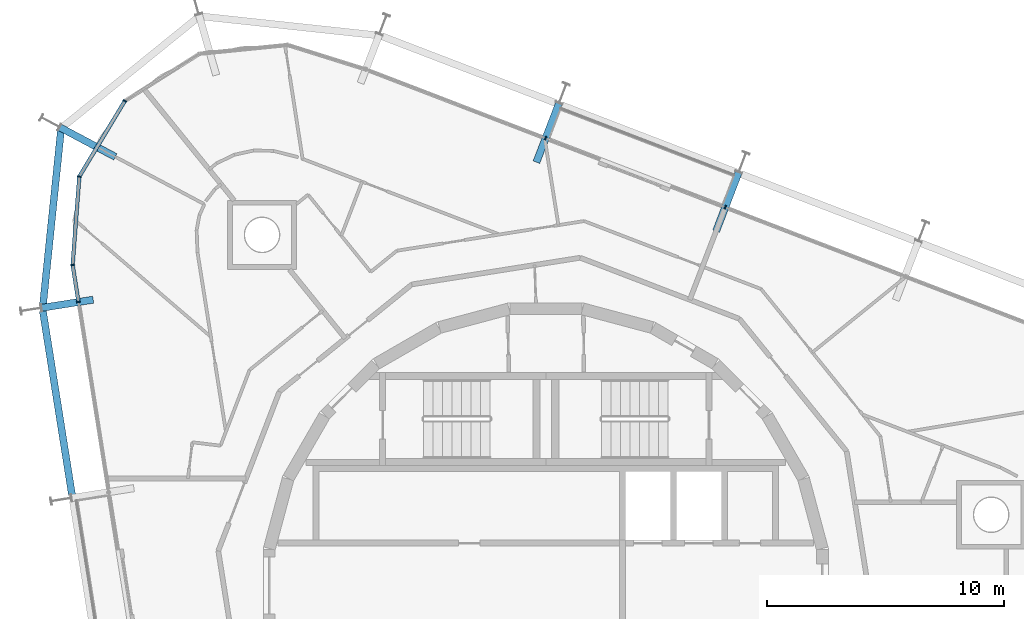
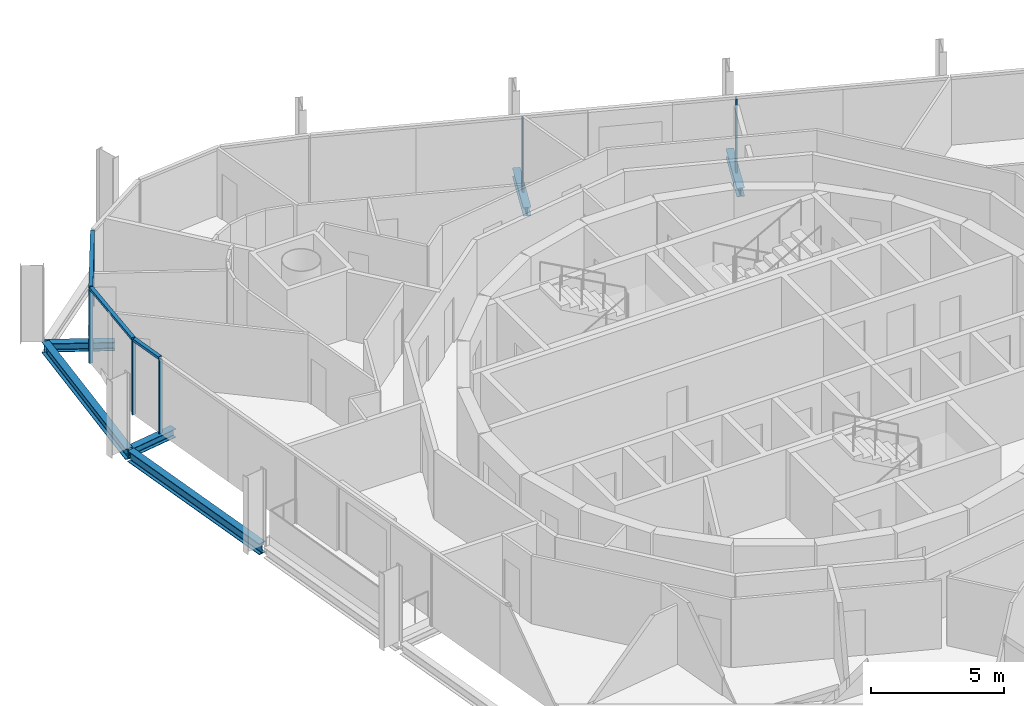
# One storey, part 6 of 17: 9 members, 6 beams, 3 elements without a shape of their own.
"""IFC4 building model written with IfcOpenShell, lengths in metres."""

from ifc_helpers import new_model, si_unit, direction, frame, origin, origin_2d, place, context, subcontext, project, spatial, rectangle, i_section, extrude, material, layer, layer_set, material_profile, profile_set, type_object, element, aggregate, save


model = new_model("IFC4")

# Units and contexts
model_context = context("Model", 3, precision=1e-05, world=origin(), true_north=direction((0.0, 1.0)))
body_context = subcontext(model_context, "Body", "Model", "MODEL_VIEW")
ifc_project = project(units=[si_unit("LENGTHUNIT", "METRE"), si_unit("AREAUNIT", "SQUARE_METRE"), si_unit("VOLUMEUNIT", "CUBIC_METRE"), si_unit("PLANEANGLEUNIT", "RADIAN"), si_unit("MASSUNIT", "GRAM", prefix="KILO")], contexts=[model_context])

# Site, building, storey
site_placement = place(None, origin())
site = spatial("IfcSite", under=ifc_project, at=site_placement, CompositionType="ELEMENT")
building_placement = place(site_placement, origin())
building = spatial("IfcBuilding", under=site, at=building_placement, Name="Spindle Arch Residences", CompositionType="ELEMENT")
storey_placement = place(building_placement, frame((0.0, 0.0, 270.39990234375)))
storey = spatial("IfcBuildingStorey", under=building, at=storey_placement, Name="L69", CompositionType="ELEMENT", Elevation=270.39990234375)

# Curtain wall, members
ifc_material_1 = material(Name="Aluminium bronze unitised frame with tinted glass", Category="aluminium")
ifc_layer_1 = layer(ifc_material_1, 0.159912109375)
ifc_layer_set_1 = layer_set([ifc_layer_1], Name="CW-C typical residential unitised wall")
curtain_wall_type_1 = type_object("IfcCurtainWallType", Name="CW-C typical residential unitised wall", PredefinedType="NOTDEFINED", material=ifc_layer_set_1)
curtain_wall_1_placement = place(storey_placement, origin())
curtain_wall_1 = element("IfcCurtainWall", 1, at=curtain_wall_1_placement, inside=storey, type_object=curtain_wall_type_1, Name="CW-C L69 run 2", PredefinedType="NOTDEFINED")
ifc_material_2 = material(Name="Aluminium bronze anodised mullion", Category="aluminium")
ifc_material_profile_1 = material_profile(ifc_material_2, rectangle(XDim=0.159912109375, YDim=0.06005859375, at=origin_2d()), Name="MU 60x160")
ifc_profile_set_1 = profile_set([ifc_material_profile_1], Name="Aluminium bronze anodised mullion")
member_type_1 = type_object("IfcMemberType", Name="Bronze mullion 60x160", PredefinedType="MULLION", material=ifc_profile_set_1)
member_1_placement = place(storey_placement, frame((7.560302734375, 15.9248046875, -0.3798828125), z_axis=(0.0, 0.0, 1.0), x_axis=(-0.358367949545, -0.933580426497, 0.0)))
member_1 = element("IfcMember", 2, at=member_1_placement, type_object=member_type_1, Name="CW-C mullion 06", PredefinedType="MULLION", context=body_context, shape_type="SweptSolid", body=[
    extrude(rectangle(XDim=0.159912109375, YDim=0.06005859375, at=origin_2d()), origin(), (0.0, 0.0, 1.0), 3.3798828125),
])
member_2_placement = place(storey_placement, frame((-0.0087890625, 18.830322265625, -0.3798828125), z_axis=(0.0, 0.0, 1.0), x_axis=(-0.358367949545, -0.933580426497, 0.0)))
member_2 = element("IfcMember", 3, at=member_2_placement, type_object=member_type_1, Name="CW-C mullion 07", PredefinedType="MULLION", context=body_context, shape_type="SweptSolid", body=[
    extrude(rectangle(XDim=0.159912109375, YDim=0.06005859375, at=origin_2d()), origin(), (0.0, 0.0, 1.0), 3.3798828125),
])
aggregate(curtain_wall_1, [member_1, member_2])

ifc_material_3 = material(Name="Aluminium bronze unitised frame with tinted glass", Category="aluminium")
ifc_layer_2 = layer(ifc_material_3, 0.159912109375)
ifc_layer_set_2 = layer_set([ifc_layer_2], Name="CW-D corner wall on the fillet arcs")
curtain_wall_type_2 = type_object("IfcCurtainWallType", Name="CW-D corner wall on the fillet arcs", PredefinedType="NOTDEFINED", material=ifc_layer_set_2)
curtain_wall_2_placement = place(storey_placement, origin())
curtain_wall_2 = element("IfcCurtainWall", 4, at=curtain_wall_2_placement, inside=storey, type_object=curtain_wall_type_2, Name="CW-D L69 run 3", PredefinedType="NOTDEFINED")
member_3_placement = place(storey_placement, frame((-17.732421875, 20.406982421875, -0.3798828125), z_axis=(0.0, 0.0, 1.0), x_axis=(0.857167301925, -0.515038072875, 0.0)))
member_3 = element("IfcMember", 5, at=member_3_placement, type_object=member_type_1, Name="CW-D mullion 03", PredefinedType="MULLION", context=body_context, shape_type="SweptSolid", body=[
    extrude(rectangle(XDim=0.159912109375, YDim=0.06005859375, at=origin_2d()), origin(), (0.0, 0.0, 1.0), 3.3798828125),
])
member_4_placement = place(storey_placement, frame((-19.65185546875, 17.212646484375, -0.3798828125), z_axis=(0.0, 0.0, 1.0), x_axis=(0.997141344139, -0.07555884997, 0.0)))
member_4 = element("IfcMember", 6, at=member_4_placement, type_object=member_type_1, Name="CW-D mullion 04", PredefinedType="MULLION", context=body_context, shape_type="SweptSolid", body=[
    extrude(rectangle(XDim=0.159912109375, YDim=0.06005859375, at=origin_2d()), origin(), (0.0, 0.0, 1.0), 3.3798828125),
])
member_5_placement = place(storey_placement, frame((-19.933349609375, 13.49658203125, -0.3798828125), z_axis=(0.0, 0.0, 1.0), x_axis=(0.987688340595, 0.15643446504, 0.0)))
member_5 = element("IfcMember", 7, at=member_5_placement, type_object=member_type_1, Name="CW-D mullion 05", PredefinedType="MULLION", context=body_context, shape_type="SweptSolid", body=[
    extrude(rectangle(XDim=0.159912109375, YDim=0.06005859375, at=origin_2d()), origin(), (0.0, 0.0, 1.0), 3.3798828125),
])

# Curtain wall, member
curtain_wall_3_placement = place(storey_placement, origin())
curtain_wall_3 = element("IfcCurtainWall", 8, at=curtain_wall_3_placement, inside=storey, type_object=curtain_wall_type_1, Name="CW-C L69 run 4", PredefinedType="NOTDEFINED")
member_6_placement = place(storey_placement, frame((-19.685546875, 11.931396484375, -0.3798828125), z_axis=(0.0, 0.0, 1.0), x_axis=(0.987688340595, 0.15643446504, 0.0)))
member_6 = element("IfcMember", 9, at=member_6_placement, type_object=member_type_1, Name="CW-C mullion 11", PredefinedType="MULLION", context=body_context, shape_type="SweptSolid", body=[
    extrude(rectangle(XDim=0.159912109375, YDim=0.06005859375, at=origin_2d()), origin(), (0.0, 0.0, 1.0), 3.3798828125),
])
aggregate(curtain_wall_3, [member_6])

# Member
ifc_material_4 = material(Name="Aluminium bronze anodised transom", Category="aluminium")
ifc_material_profile_2 = material_profile(ifc_material_4, rectangle(XDim=0.159912109375, YDim=0.1201171875, at=origin_2d()), Name="TR 120x160")
ifc_profile_set_2 = profile_set([ifc_material_profile_2], Name="Aluminium bronze anodised transom")
member_type_2 = type_object("IfcMemberType", Name="Bronze transom 120x160", PredefinedType="USERDEFINED", material=ifc_profile_set_2)
member_7_placement = place(storey_placement, frame((-17.747802734375, 20.38134765625, 3.06005859375), z_axis=(-0.515014612012, -0.857181398196, 0.0), x_axis=(0.857181398196, -0.515014612012, 0.0)))
member_7 = element("IfcMember", 10, at=member_7_placement, type_object=member_type_2, Name="CW-D transom 03", ObjectType="TRANSOM", PredefinedType="USERDEFINED", context=body_context, shape_type="SweptSolid", body=[
    extrude(rectangle(XDim=0.159912109375, YDim=0.1201171875, at=origin_2d()), origin(), (0.0, 0.0, 1.0), 3.666748046875),
])

member_8_placement = place(storey_placement, frame((-19.654052734375, 17.1826171875, 3.06005859375), z_axis=(-0.07557120479, -0.99714040787, 0.0), x_axis=(0.99714040787, -0.07557120479, 0.0)))
member_8 = element("IfcMember", 11, at=member_8_placement, type_object=member_type_2, Name="CW-D transom 04", ObjectType="TRANSOM", PredefinedType="USERDEFINED", context=body_context, shape_type="SweptSolid", body=[
    extrude(rectangle(XDim=0.159912109375, YDim=0.1201171875, at=origin_2d()), origin(), (0.0, 0.0, 1.0), 3.666748046875),
])

member_9_placement = place(storey_placement, frame((-19.9287109375, 13.466796875, 3.06005859375), z_axis=(0.156447707445, -0.987686243113, 0.0), x_axis=(0.987686243113, 0.156447707445, 0.0)))
member_9 = element("IfcMember", 12, at=member_9_placement, type_object=member_type_2, Name="CW-D transom 05", ObjectType="TRANSOM", PredefinedType="USERDEFINED", context=body_context, shape_type="SweptSolid", body=[
    extrude(rectangle(XDim=0.159912109375, YDim=0.1201171875, at=origin_2d()), origin(), (0.0, 0.0, 1.0), 1.524658203125),
])

aggregate(curtain_wall_2, [member_3, member_7, member_4, member_8, member_5, member_9])

# Beams
ifc_material_5 = material(Name="Steel S460ML, intumescent coating R 120", Category="steel")
ifc_material_profile_3 = material_profile(ifc_material_5, i_section(OverallWidth=0.300048828125, OverallDepth=0.5, WebThickness=0.014404296875, FlangeThickness=0.028076171875, FilletRadius=0.027099609375, at=origin_2d()), Name="HEB 500")
ifc_profile_set_3 = profile_set([ifc_material_profile_3], Name="Steel S460ML, intumescent coating R 120")
beam_type_1 = type_object("IfcBeamType", Name="Exoskeleton edge beam HEB 500", PredefinedType="BEAM", material=ifc_profile_set_3)
beam_1_placement = place(storey_placement, frame((-20.41015625, 19.294189453125, -0.6298828125), z_axis=(-0.102188803119, -0.99476502176, 0.0), x_axis=(0.99476502176, -0.102188803119, 0.0)))
element("IfcBeam", 13, at=beam_1_placement, inside=storey, type_object=beam_type_1, Name="Exoskeleton edge beam 11", PredefinedType="BEAM", context=body_context, shape_type="SweptSolid", body=[
    extrude(i_section(OverallWidth=0.300048828125, OverallDepth=0.5, WebThickness=0.014404296875, FlangeThickness=0.028076171875, FilletRadius=0.027099609375, at=origin_2d()), origin(), (0.0, 0.0, 1.0), 7.6689453125),
])
beam_2_placement = place(storey_placement, frame((-21.186279296875, 11.56201171875, -0.6298828125), z_axis=(0.156453001738, -0.987685404492, 0.0), x_axis=(0.987685404492, 0.156453001738, 0.0)))
element("IfcBeam", 14, at=beam_2_placement, inside=storey, type_object=beam_type_1, Name="Exoskeleton edge beam 12", PredefinedType="BEAM", context=body_context, shape_type="SweptSolid", body=[
    extrude(i_section(OverallWidth=0.300048828125, OverallDepth=0.5, WebThickness=0.014404296875, FlangeThickness=0.028076171875, FilletRadius=0.027099609375, at=origin_2d()), origin(), (0.0, 0.0, 1.0), 7.84765625),
])
ifc_material_6 = material(Name="Steel S460ML, intumescent coating R 120", Category="steel")
ifc_material_profile_4 = material_profile(ifc_material_6, i_section(OverallWidth=0.300048828125, OverallDepth=0.389892578125, WebThickness=0.010986328125, FlangeThickness=0.01904296875, FilletRadius=0.027099609375, at=origin_2d()), Name="HEA 400")
ifc_profile_set_4 = profile_set([ifc_material_profile_4], Name="Steel S460ML, intumescent coating R 120")
beam_type_2 = type_object("IfcBeamType", Name="Floor outrigger HEA 400", PredefinedType="BEAM", material=ifc_profile_set_4)
for number, where, z_axis, x_axis, name in (
    (15, (8.123046875, 17.390625, -0.574951171875), (-0.358392499624, -0.933571002234, 0.0), (0.933571002234, -0.358392499624, 0.0), "Floor outrigger 7"),
    (16, (0.553955078125, 20.296142578125, -0.574951171875), (-0.358392499624, -0.933571002234, 0.0), (0.933571002234, -0.358392499624, 0.0), "Floor outrigger 8"),
    (17, (-20.472900390625, 19.29150390625, -0.574951171875), (0.882885392442, -0.469588526065, 0.0), (0.469588526065, 0.882885392442, 0.0), "Floor outrigger 11"),
):
    element("IfcBeam", number, at=place(storey_placement, frame(where, z_axis=z_axis, x_axis=x_axis)), inside=storey, type_object=beam_type_2, Name=name, PredefinedType="BEAM", context=body_context, shape_type="SweptSolid", body=[
        extrude(i_section(OverallWidth=0.300048828125, OverallDepth=0.389892578125, WebThickness=0.010986328125, FlangeThickness=0.01904296875, FilletRadius=0.027099609375, at=origin_2d()), origin(), (0.0, 0.0, 1.0), 2.64990234375),
    ])
beam_3_placement = place(storey_placement, frame((-21.236083984375, 11.685791015625, -0.574951171875), z_axis=(0.987697139372, 0.156378901635, 0.0), x_axis=(-0.156378901635, 0.987697139372, 0.0)))
element("IfcBeam", 18, at=beam_3_placement, inside=storey, type_object=beam_type_2, Name="Floor outrigger 12", PredefinedType="BEAM", context=body_context, shape_type="SweptSolid", body=[
    extrude(i_section(OverallWidth=0.300048828125, OverallDepth=0.389892578125, WebThickness=0.010986328125, FlangeThickness=0.01904296875, FilletRadius=0.027099609375, at=origin_2d()), origin(), (0.0, 0.0, 1.0), 2.1982421875),
])

save(model, "model.ifc")
